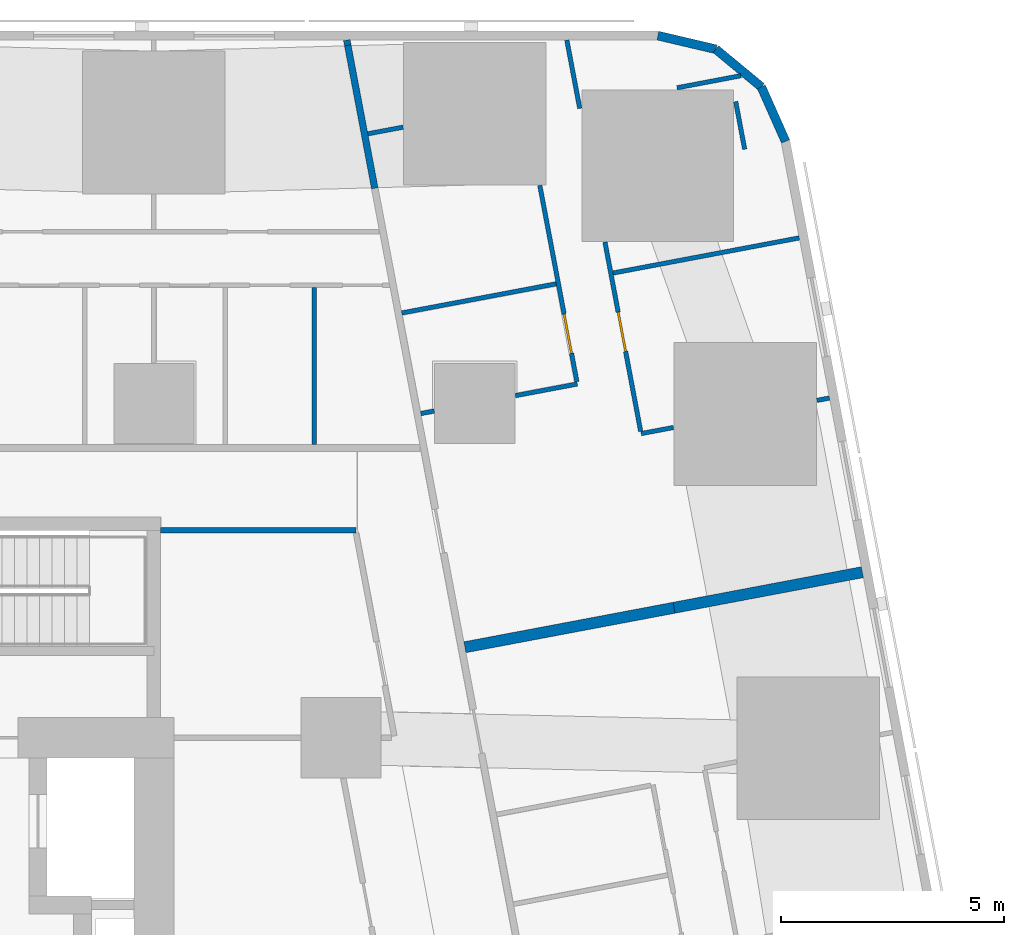
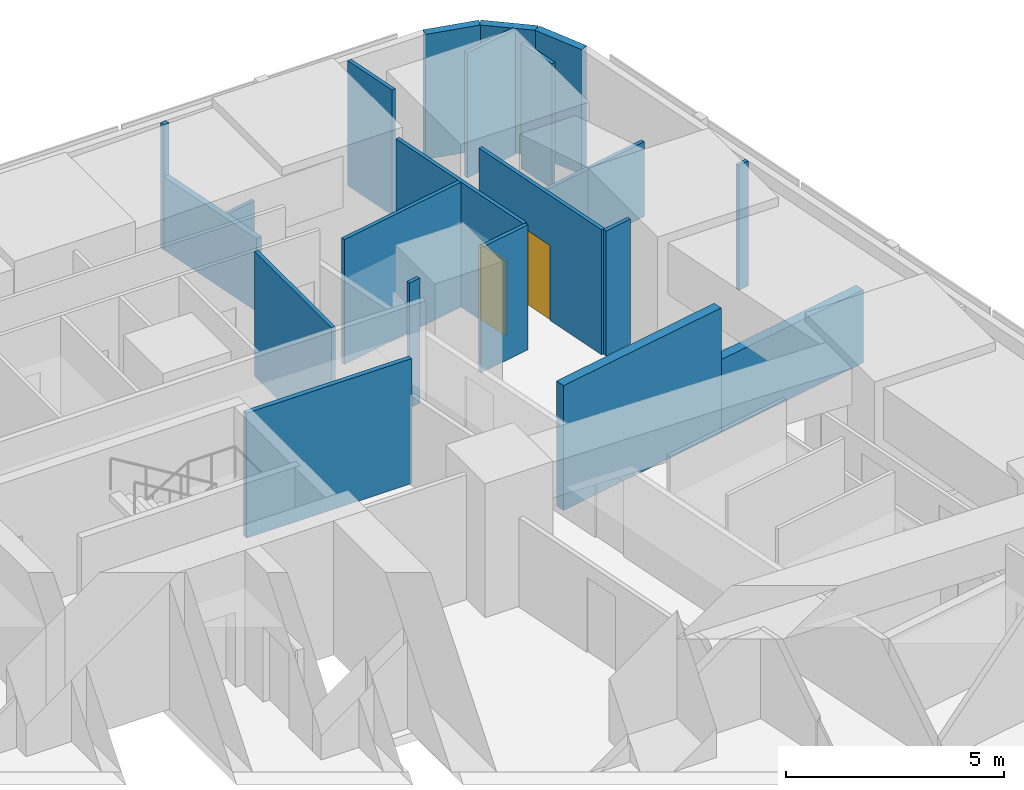
# One storey, part 13 of 17: 21 walls, 2 doors, 2 openings.
"""IFC4 building model written with IfcOpenShell, lengths in metres."""

from ifc_helpers import new_model, si_unit, direction, frame, frame_2d, origin, place, context, subcontext, project, spatial, rectangle, extrude, material, layer, layer_set, type_object, element, fill, save


model = new_model("IFC4")

# Units and contexts
model_context = context("Model", 3, precision=1e-05, world=origin(), true_north=direction((0.0, 1.0)))
body_context = subcontext(model_context, "Body", "Model", "MODEL_VIEW")
ifc_project = project(units=[si_unit("LENGTHUNIT", "METRE"), si_unit("AREAUNIT", "SQUARE_METRE"), si_unit("VOLUMEUNIT", "CUBIC_METRE"), si_unit("PLANEANGLEUNIT", "RADIAN"), si_unit("MASSUNIT", "GRAM", prefix="KILO")], contexts=[model_context])

# Site, building, storey
site_placement = place(None, origin())
site = spatial("IfcSite", under=ifc_project, at=site_placement, CompositionType="ELEMENT")
building_placement = place(site_placement, origin())
building = spatial("IfcBuilding", under=site, at=building_placement, Name="Sheger Commons Tower", CompositionType="ELEMENT")
storey_placement = place(building_placement, frame((0.0, 0.0, 27.5)))
storey = spatial("IfcBuildingStorey", under=building, at=storey_placement, Name="L06", CompositionType="ELEMENT", Elevation=27.5)

# Walls
ifc_material_1 = material(Name="Hollow concrete block masonry, skimmed both sides", Category="masonry")
ifc_layer_1 = layer(ifc_material_1, 0.14990234375)
ifc_layer_set_1 = layer_set([ifc_layer_1], Name="CORRIDOR WALL 150")
wall_type_1 = type_object("IfcWallType", Name="CORRIDOR WALL 150", PredefinedType="SOLIDWALL", material=ifc_layer_set_1)
wall_1_placement = place(storey_placement, frame((33.126953125, 45.64990234375, 0.0), z_axis=(0.0, 0.0, 1.0), x_axis=(0.184660164975, -0.98280243359, 0.0)))
element("IfcWall", 1, at=wall_1_placement, inside=storey, type_object=wall_type_1, Name="Corridor wall L06", PredefinedType="SOLIDWALL", context=body_context, shape_type="SweptSolid", body=[
    extrude(rectangle(XDim=0.118896484375, YDim=0.14990234375, at=frame_2d((0.0595703125, 0.0))), origin(), (0.0, 0.0, 1.0), 3.5),
])
wall_2_placement = place(storey_placement, frame((33.14892578125, 45.532958984375, 0.0), z_axis=(0.0, 0.0, 1.0), x_axis=(0.185606774758, -0.98262410166, 0.0)))
element("IfcWall", 2, at=wall_2_placement, inside=storey, type_object=wall_type_1, Name="Corridor wall L06", PredefinedType="SOLIDWALL", context=body_context, shape_type="SweptSolid", body=[
    extrude(rectangle(XDim=3.2646484375, YDim=0.14990234375, at=frame_2d((1.63232421875, 0.0))), origin(), (0.0, 0.0, 1.0), 2.050048828125),
])
ifc_material_2 = material(Name="Dense concrete block masonry, plastered both sides (separating wall between flats)", Category="masonry")
ifc_layer_2 = layer(ifc_material_2, 0.25)
ifc_layer_set_2 = layer_set([ifc_layer_2], Name="DEMISING WALL 250")
wall_type_2 = type_object("IfcWallType", Name="DEMISING WALL 250", PredefinedType="SOLIDWALL", material=ifc_layer_set_2)
wall_3_placement = place(storey_placement, frame((44.693115234375, 33.712890625, 0.0), z_axis=(0.0, 0.0, 1.0), x_axis=(-0.982633535512, -0.185556823879, 0.0)))
element("IfcWall", 3, at=wall_3_placement, inside=storey, type_object=wall_type_2, Name="Demising wall L06", PredefinedType="SOLIDWALL", context=body_context, shape_type="SweptSolid", body=[
    extrude(rectangle(XDim=4.2998046875, YDim=0.25, at=frame_2d((2.14990234375, 0.0))), origin(), (0.0, 0.0, 1.0), 2.050048828125),
])
wall_4_placement = place(storey_placement, frame((40.468017578125, 32.9150390625, 0.0), z_axis=(0.0, 0.0, 1.0), x_axis=(-0.982635807605, -0.185544791394, 0.0)))
element("IfcWall", 4, at=wall_4_placement, inside=storey, type_object=wall_type_2, Name="Demising wall L06", PredefinedType="SOLIDWALL", context=body_context, shape_type="SweptSolid", body=[
    extrude(rectangle(XDim=4.775146484375, YDim=0.25, at=frame_2d((2.3876953125, 0.0))), origin(), (0.0, 0.0, 1.0), 3.5),
])
ifc_material_3 = material(Name="Rendered concrete block masonry, dark grey", Category="masonry")
ifc_layer_3 = layer(ifc_material_3, 0.199951171875)
ifc_layer_set_3 = layer_set([ifc_layer_3], Name="FACADE WALL 200")
wall_type_3 = type_object("IfcWallType", Name="FACADE WALL 200", PredefinedType="SOLIDWALL", material=ifc_layer_set_3)
wall_5_placement = place(storey_placement, frame((42.969970703125, 43.376953125, 0.0), z_axis=(0.0, 0.0, 1.0), x_axis=(-0.406002956633, 0.913871762998, 0.0)))
element("IfcWall", 5, at=wall_5_placement, inside=storey, type_object=wall_type_3, Name="Facade wall L06", PredefinedType="SOLIDWALL", context=body_context, shape_type="SweptSolid", body=[
    extrude(rectangle(XDim=1.33740234375, YDim=0.199951171875, at=frame_2d((0.668701171875, 0.0))), origin(), (0.0, 0.0, 1.0), 3.5),
])
wall_6_placement = place(storey_placement, frame((42.427001953125, 44.59912109375, 0.0), z_axis=(0.0, 0.0, 1.0), x_axis=(-0.770091412544, 0.637933551655, 0.0)))
element("IfcWall", 6, at=wall_6_placement, inside=storey, type_object=wall_type_3, Name="Facade wall L06", PredefinedType="SOLIDWALL", context=body_context, shape_type="SweptSolid", body=[
    extrude(rectangle(XDim=1.324462890625, YDim=0.199951171875, at=frame_2d((0.662109375, 0.0))), origin(), (0.0, 0.0, 1.0), 3.5),
])
wall_7_placement = place(storey_placement, frame((41.406982421875, 45.444091796875, 0.0), z_axis=(0.0, 0.0, 1.0), x_axis=(-0.973453091607, 0.228886606077, 0.0)))
element("IfcWall", 7, at=wall_7_placement, inside=storey, type_object=wall_type_3, Name="Facade wall L06", PredefinedType="SOLIDWALL", context=body_context, shape_type="SweptSolid", body=[
    extrude(rectangle(XDim=1.33642578125, YDim=0.199951171875, at=frame_2d((0.668212890625, 0.0))), origin(), (0.0, 0.0, 1.0), 3.5),
])
ifc_material_4 = material(Name="Gypsum board on steel studs", Category="steel")
ifc_layer_4 = layer(ifc_material_4, 0.10009765625)
ifc_layer_set_4 = layer_set([ifc_layer_4], Name="PARTITION 100")
wall_type_4 = type_object("IfcWallType", Name="PARTITION 100", PredefinedType="PARTITIONING", material=ifc_layer_set_4)
wall_8_placement = place(storey_placement, frame((41.85107421875, 44.26904296875, 0.0), z_axis=(0.0, 0.0, 1.0), x_axis=(0.185411943936, -0.982660883034, 0.0)))
element("IfcWall", 8, at=wall_8_placement, inside=storey, type_object=wall_type_4, Name="Partition L06", PredefinedType="PARTITIONING", context=body_context, shape_type="SweptSolid", body=[
    extrude(rectangle(XDim=1.0888671875, YDim=0.10009765625, at=frame_2d((0.54443359375, 0.0))), origin(), (0.0, 0.0, 1.0), 3.5),
])
wall_9_placement = place(storey_placement, frame((38.06298828125, 45.64990234375, 0.0), z_axis=(0.0, 0.0, 1.0), x_axis=(0.185789650565, -0.982589540827, 0.0)))
element("IfcWall", 9, at=wall_9_placement, inside=storey, type_object=wall_type_4, Name="Partition L06", PredefinedType="PARTITIONING", context=body_context, shape_type="SweptSolid", body=[
    extrude(rectangle(XDim=1.56103515625, YDim=0.10009765625, at=frame_2d((0.780517578125, 0.0))), origin(), (0.0, 0.0, 1.0), 3.5),
])

# Wall, opening, door
wall_10_placement = place(storey_placement, frame((38.91796875, 41.1201171875, 0.0), z_axis=(0.0, 0.0, 1.0), x_axis=(0.185474723155, -0.982649035552, 0.0)))
wall_10 = element("IfcWall", 10, at=wall_10_placement, inside=storey, type_object=wall_type_4, Name="Partition L06", PredefinedType="PARTITIONING", context=body_context, shape_type="SweptSolid", body=[
    extrude(rectangle(XDim=4.323974609375, YDim=0.10009765625, at=frame_2d((2.162109375, 0.0))), origin(), (0.0, 0.0, 1.0), 3.5),
])
opening_1_placement = place(wall_10_placement, frame((1.60009765625, 0.0, 0.0)))
opening_1 = element("IfcOpeningElement", 11, at=opening_1_placement, cuts=wall_10, Name="Opening D2", PredefinedType="OPENING", context=body_context, shape_type="SweptSolid", body=[
    extrude(rectangle(XDim=0.89990234375, YDim=2.10009765625, at=frame_2d((0.449951171875, 1.050048828125))), frame((0.0, 0.06005859375, 0.0), z_axis=(0.0, -1.0, 0.0), x_axis=(1.0, 0.0, 0.0)), (0.0, 0.0, 1.0), 0.1201171875),
])
ifc_material_5 = material(Name="Timber door set", Category="wood")
door_type = type_object("IfcDoorType", Name="INTERNAL DOOR 900x2100", OperationType="NOTDEFINED", PredefinedType="DOOR", material=ifc_material_5)
door_1_placement = place(opening_1_placement, origin())
door_1 = element("IfcDoor", 12, at=door_1_placement, inside=storey, type_object=door_type, Name="Main bedroom door", OperationType="SINGLE_SWING_LEFT", OverallHeight=2.10009765625, OverallWidth=0.89990234375, PredefinedType="DOOR", context=body_context, shape_type="SweptSolid", body=[
    extrude(rectangle(XDim=0.89990234375, YDim=2.10009765625, at=frame_2d((0.449951171875, 1.050048828125))), frame((0.0, 0.02490234375, 0.0), z_axis=(0.0, -1.0, 0.0), x_axis=(1.0, 0.0, 0.0)), (0.0, 0.0, 1.0), 0.050048828125),
])
fill(opening_1, door_1)

wall_11_placement = place(storey_placement, frame((37.45703125, 42.389892578125, 0.0), z_axis=(0.0, 0.0, 1.0), x_axis=(0.185560627322, -0.982632817276, 0.0)))
wall_11 = element("IfcWall", 13, at=wall_11_placement, inside=storey, type_object=wall_type_4, Name="Partition L06", PredefinedType="PARTITIONING", context=body_context, shape_type="SweptSolid", body=[
    extrude(rectangle(XDim=4.48388671875, YDim=0.10009765625, at=frame_2d((2.241943359375, 0.0))), origin(), (0.0, 0.0, 1.0), 3.5),
])
opening_2_placement = place(wall_11_placement, frame((2.93603515625, 0.0, 0.0)))
opening_2 = element("IfcOpeningElement", 14, at=opening_2_placement, cuts=wall_11, Name="Opening D2", PredefinedType="OPENING", context=body_context, shape_type="SweptSolid", body=[
    extrude(rectangle(XDim=0.89990234375, YDim=2.10009765625, at=frame_2d((0.449951171875, 1.050048828125))), frame((0.0, 0.06005859375, 0.0), z_axis=(0.0, -1.0, 0.0), x_axis=(1.0, 0.0, 0.0)), (0.0, 0.0, 1.0), 0.1201171875),
])
door_2_placement = place(opening_2_placement, origin())
door_2 = element("IfcDoor", 15, at=door_2_placement, inside=storey, type_object=door_type, Name="Bathroom door", OperationType="SINGLE_SWING_LEFT", OverallHeight=2.10009765625, OverallWidth=0.89990234375, PredefinedType="DOOR", context=body_context, shape_type="SweptSolid", body=[
    extrude(rectangle(XDim=0.89990234375, YDim=2.10009765625, at=frame_2d((0.449951171875, 1.050048828125))), frame((0.0, 0.02490234375, 0.0), z_axis=(0.0, -1.0, 0.0), x_axis=(1.0, 0.0, 0.0)), (0.0, 0.0, 1.0), 0.050048828125),
])
fill(opening_2, door_2)

# Walls
wall_12_placement = place(storey_placement, frame((41.968017578125, 44.85009765625, 0.0), z_axis=(0.0, 0.0, 1.0), x_axis=(-0.982563630066, -0.185926633033, 0.0)))
element("IfcWall", 16, at=wall_12_placement, inside=storey, type_object=wall_type_4, Name="Partition L06", PredefinedType="PARTITIONING", context=body_context, shape_type="SweptSolid", body=[
    extrude(rectangle(XDim=1.45751953125, YDim=0.10009765625, at=frame_2d((0.728759765625, 0.0))), origin(), (0.0, 0.0, 1.0), 3.5),
])
wall_13_placement = place(storey_placement, frame((43.277099609375, 41.2119140625, 0.0), z_axis=(0.0, 0.0, 1.0), x_axis=(-0.982665405803, -0.185387972203, 0.0)))
element("IfcWall", 17, at=wall_13_placement, inside=storey, type_object=wall_type_4, Name="Partition L06", PredefinedType="PARTITIONING", context=body_context, shape_type="SweptSolid", body=[
    extrude(rectangle(XDim=4.249755859375, YDim=0.10009765625, at=frame_2d((2.125, 0.0))), origin(), (0.0, 0.0, 1.0), 2.10009765625),
])
wall_14_placement = place(storey_placement, frame((43.955078125, 37.6201171875, 0.0), z_axis=(0.0, 0.0, 1.0), x_axis=(-0.982532299353, -0.186092129678, 0.0)))
element("IfcWall", 18, at=wall_14_placement, inside=storey, type_object=wall_type_4, Name="Partition L06", PredefinedType="PARTITIONING", context=body_context, shape_type="SweptSolid", body=[
    extrude(rectangle(XDim=0.285888671875, YDim=0.10009765625, at=frame_2d((0.14306640625, 0.0))), origin(), (0.0, 0.0, 1.0), 3.5),
])
wall_15_placement = place(storey_placement, frame((40.4541015625, 36.958984375, 0.0), z_axis=(0.0, 0.0, 1.0), x_axis=(-0.982578421631, -0.185848447247, 0.0)))
element("IfcWall", 19, at=wall_15_placement, inside=storey, type_object=wall_type_4, Name="Partition L06", PredefinedType="PARTITIONING", context=body_context, shape_type="SweptSolid", body=[
    extrude(rectangle(XDim=0.737060546875, YDim=0.10009765625, at=frame_2d((0.36865234375, 0.0))), origin(), (0.0, 0.0, 1.0), 3.5),
])
wall_16_placement = place(storey_placement, frame((34.389892578125, 43.696044921875, 0.0), z_axis=(0.0, 0.0, 1.0), x_axis=(-0.982640737979, -0.185518678479, 0.0)))
element("IfcWall", 20, at=wall_16_placement, inside=storey, type_object=wall_type_4, Name="Partition L06", PredefinedType="PARTITIONING", context=body_context, shape_type="SweptSolid", body=[
    extrude(rectangle(XDim=0.802734375, YDim=0.10009765625, at=frame_2d((0.4013671875, 0.0))), origin(), (0.0, 0.0, 1.0), 2.050048828125),
])
wall_17_placement = place(storey_placement, frame((37.822998046875, 40.181884765625, 0.0), z_axis=(0.0, 0.0, 1.0), x_axis=(-0.98263926043, -0.185526504472, 0.0)))
element("IfcWall", 21, at=wall_17_placement, inside=storey, type_object=wall_type_4, Name="Partition L06", PredefinedType="PARTITIONING", context=body_context, shape_type="SweptSolid", body=[
    extrude(rectangle(XDim=3.524169921875, YDim=0.10009765625, at=frame_2d((1.76220703125, 0.0))), origin(), (0.0, 0.0, 1.0), 3.5),
])
wall_18_placement = place(storey_placement, frame((38.299072265625, 37.93505859375, 0.0), z_axis=(0.0, 0.0, 1.0), x_axis=(-0.982680053146, -0.185310315822, 0.0)))
element("IfcWall", 22, at=wall_18_placement, inside=storey, type_object=wall_type_4, Name="Partition L06", PredefinedType="PARTITIONING", context=body_context, shape_type="SweptSolid", body=[
    extrude(rectangle(XDim=1.41357421875, YDim=0.10009765625, at=frame_2d((0.706787109375, 0.0))), origin(), (0.0, 0.0, 1.0), 3.5),
])
wall_19_placement = place(storey_placement, frame((35.090087890625, 37.327880859375, 0.0), z_axis=(0.0, 0.0, 1.0), x_axis=(-0.982961380226, -0.183812200315, 0.0)))
element("IfcWall", 23, at=wall_19_placement, inside=storey, type_object=wall_type_4, Name="Partition L06", PredefinedType="PARTITIONING", context=body_context, shape_type="SweptSolid", body=[
    extrude(rectangle(XDim=0.3095703125, YDim=0.10009765625, at=frame_2d((0.15478515625, 0.0))), origin(), (0.0, 0.0, 1.0), 3.5),
])
wall_20_placement = place(storey_placement, frame((32.39990234375, 36.574951171875, 0.0), z_axis=(0.0, 0.0, 1.0), x_axis=(0.0, 1.0, 0.0)))
element("IfcWall", 24, at=wall_20_placement, inside=storey, type_object=wall_type_4, Name="Partition L06", PredefinedType="PARTITIONING", context=body_context, shape_type="SweptSolid", body=[
    extrude(rectangle(XDim=3.525146484375, YDim=0.10009765625, at=frame_2d((1.7626953125, 0.0))), origin(), (0.0, 0.0, 1.0), 3.5),
])
ifc_material_6 = material(Name="Gypsum board on steel studs, two layers each side, fire rated", Category="steel")
ifc_layer_5 = layer(ifc_material_6, 0.125)
ifc_layer_set_5 = layer_set([ifc_layer_5], Name="SERVICE WALL 125")
wall_type_5 = type_object("IfcWallType", Name="SERVICE WALL 125", PredefinedType="PARTITIONING", material=ifc_layer_set_5)
wall_21_placement = place(storey_placement, frame((28.949951171875, 34.64990234375, 0.0), z_axis=(0.0, 0.0, 1.0), x_axis=(1.0, 0.0, 0.0)))
element("IfcWall", 25, at=wall_21_placement, inside=storey, type_object=wall_type_5, Name="Service room wall L06", PredefinedType="PARTITIONING", context=body_context, shape_type="SweptSolid", body=[
    extrude(rectangle(XDim=4.381103515625, YDim=0.125, at=frame_2d((2.1904296875, 0.0))), origin(), (0.0, 0.0, 1.0), 3.5),
])

save(model, "model.ifc")
